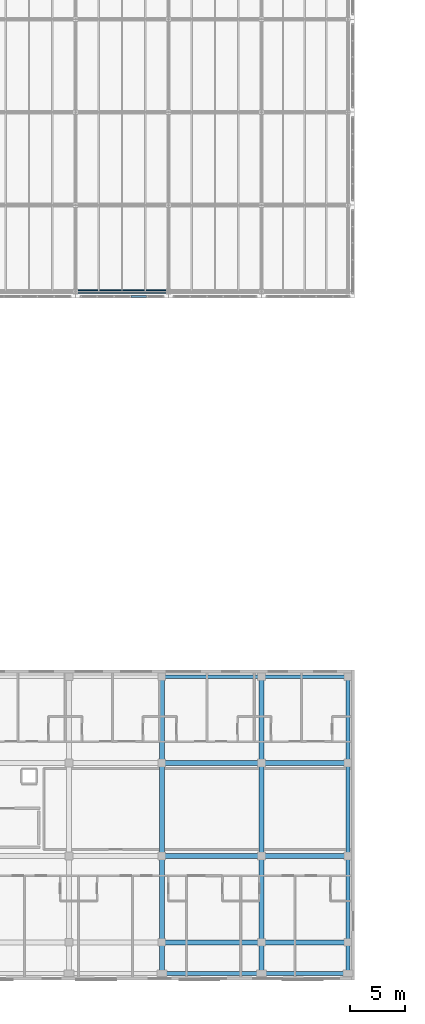
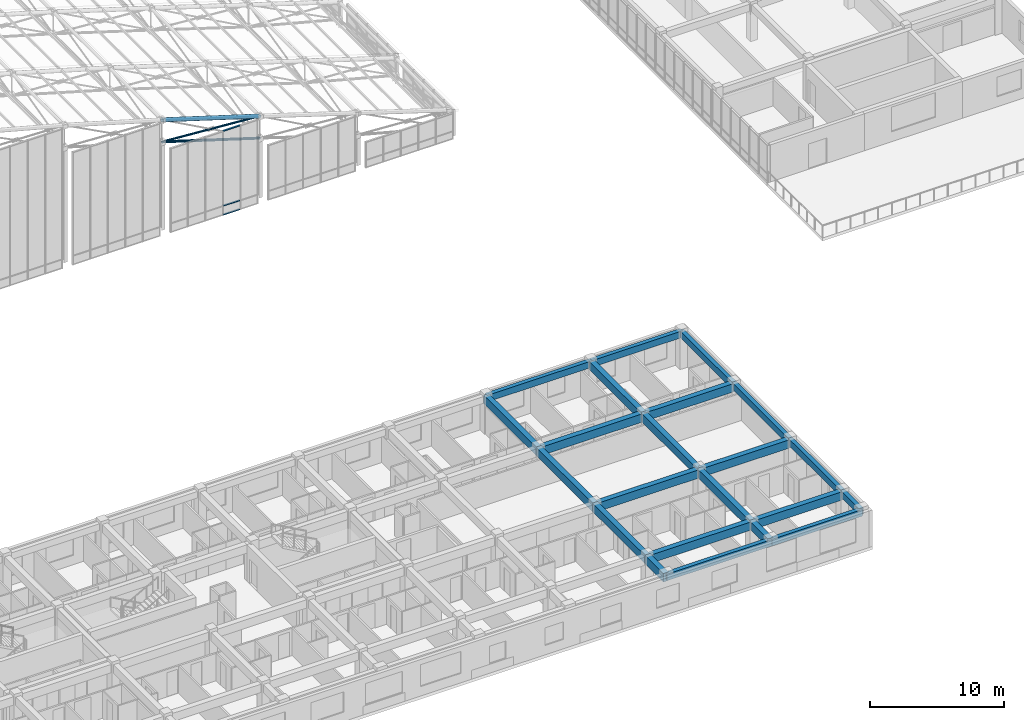
# One storey, part 23 of 144: 22 beams, 6 members, 1 element without a shape of its own.
"""IFC4 building model written with IfcOpenShell, lengths in metres."""

from ifc_helpers import new_model, si_unit, direction, frame, origin, origin_2d, place, context, subcontext, project, spatial, rectangle, hollow_rectangle, hollow_circle, extrude, material, layer, layer_set, material_profile, profile_set, type_object, element, aggregate, save


model = new_model("IFC4")

# Units and contexts
model_context = context("Model", 3, precision=1e-05, world=origin(), true_north=direction((0.0, 1.0)))
body_context = subcontext(model_context, "Body", "Model", "MODEL_VIEW")
ifc_project = project(units=[si_unit("LENGTHUNIT", "METRE"), si_unit("AREAUNIT", "SQUARE_METRE"), si_unit("VOLUMEUNIT", "CUBIC_METRE"), si_unit("PLANEANGLEUNIT", "RADIAN"), si_unit("MASSUNIT", "GRAM", prefix="KILO")], contexts=[model_context])

# Site, building, storey
site_placement = place(None, origin())
site = spatial("IfcSite", under=ifc_project, at=site_placement, CompositionType="ELEMENT")
building_placement = place(site_placement, origin())
building = spatial("IfcBuilding", under=site, at=building_placement, Name="Zayran Congress Hotel", CompositionType="ELEMENT")
storey_placement = place(building_placement, frame((0.0, 0.0, 19.199951171875)))
storey = spatial("IfcBuildingStorey", under=building, at=storey_placement, Name="L04", CompositionType="ELEMENT", Elevation=19.199951171875)

# Beams
ifc_material_1 = material(Name="Concrete C40/50", Category="concrete")
ifc_material_profile_1 = material_profile(ifc_material_1, rectangle(XDim=0.449951171875, YDim=0.75, at=origin_2d()), Name="RC 450x750")
ifc_profile_set_1 = profile_set([ifc_material_profile_1], Name="Concrete C40/50")
beam_type_1 = type_object("IfcBeamType", Name="TP-BM-02", PredefinedType="BEAM", material=ifc_profile_set_1)
beam_1_placement = place(storey_placement, frame((75.0, 9.39990234375, 2.945068359375), z_axis=(1.0, 0.0, 0.0), x_axis=(0.0, 1.0, 0.0)))
element("IfcBeam", 1, at=beam_1_placement, inside=storey, type_object=beam_type_1, Name="BM-V5-L04-1970", PredefinedType="BEAM", context=body_context, shape_type="SweptSolid", body=[
    extrude(rectangle(XDim=0.449951171875, YDim=0.75, at=origin_2d()), origin(), (0.0, 0.0, 1.0), 9.0),
])
beam_2_placement = place(storey_placement, frame((84.0, 9.39990234375, 2.945068359375), z_axis=(1.0, 0.0, 0.0), x_axis=(0.0, 1.0, 0.0)))
element("IfcBeam", 2, at=beam_2_placement, inside=storey, type_object=beam_type_1, Name="BM-V5-L04-1971", PredefinedType="BEAM", context=body_context, shape_type="SweptSolid", body=[
    extrude(rectangle(XDim=0.449951171875, YDim=0.75, at=origin_2d()), origin(), (0.0, 0.0, 1.0), 7.800048828125),
])
beam_3_placement = place(storey_placement, frame((75.0, 17.199951171875, 2.945068359375), z_axis=(1.0, 0.0, 0.0), x_axis=(0.0, 1.0, 0.0)))
element("IfcBeam", 3, at=beam_3_placement, inside=storey, type_object=beam_type_1, Name="BM-V5-L04-1980", PredefinedType="BEAM", context=body_context, shape_type="SweptSolid", body=[
    extrude(rectangle(XDim=0.449951171875, YDim=0.75, at=origin_2d()), origin(), (0.0, 0.0, 1.0), 9.0),
])
beam_4_placement = place(storey_placement, frame((84.0, 17.199951171875, 2.945068359375), z_axis=(1.0, 0.0, 0.0), x_axis=(0.0, 1.0, 0.0)))
element("IfcBeam", 4, at=beam_4_placement, inside=storey, type_object=beam_type_1, Name="BM-V5-L04-1981", PredefinedType="BEAM", context=body_context, shape_type="SweptSolid", body=[
    extrude(rectangle(XDim=0.449951171875, YDim=0.75, at=origin_2d()), origin(), (0.0, 0.0, 1.0), 7.800048828125),
])
beam_5_placement = place(storey_placement, frame((75.0, 25.60009765625, 2.945068359375), z_axis=(1.0, 0.0, 0.0), x_axis=(0.0, 1.0, 0.0)))
element("IfcBeam", 5, at=beam_5_placement, inside=storey, type_object=beam_type_1, Name="BM-V5-L04-1990", PredefinedType="BEAM", context=body_context, shape_type="SweptSolid", body=[
    extrude(rectangle(XDim=0.449951171875, YDim=0.75, at=origin_2d()), origin(), (0.0, 0.0, 1.0), 9.0),
])
beam_6_placement = place(storey_placement, frame((84.0, 25.60009765625, 2.945068359375), z_axis=(1.0, 0.0, 0.0), x_axis=(0.0, 1.0, 0.0)))
element("IfcBeam", 6, at=beam_6_placement, inside=storey, type_object=beam_type_1, Name="BM-V5-L04-1991", PredefinedType="BEAM", context=body_context, shape_type="SweptSolid", body=[
    extrude(rectangle(XDim=0.449951171875, YDim=0.75, at=origin_2d()), origin(), (0.0, 0.0, 1.0), 7.800048828125),
])
beam_7_placement = place(storey_placement, frame((75.0, 6.60009765625, 2.945068359375), z_axis=(0.0, 1.0, 0.0), x_axis=(-1.0, 0.0, 0.0)))
element("IfcBeam", 7, at=beam_7_placement, inside=storey, type_object=beam_type_1, Name="BM-V5-L04-2032", PredefinedType="BEAM", context=body_context, shape_type="SweptSolid", body=[
    extrude(rectangle(XDim=0.449951171875, YDim=0.75, at=origin_2d()), origin(), (0.0, 0.0, 1.0), 2.7998046875),
])
beam_8_placement = place(storey_placement, frame((75.0, 9.39990234375, 2.945068359375), z_axis=(0.0, 1.0, 0.0), x_axis=(-1.0, 0.0, 0.0)))
element("IfcBeam", 8, at=beam_8_placement, inside=storey, type_object=beam_type_1, Name="BM-V5-L04-2033", PredefinedType="BEAM", context=body_context, shape_type="SweptSolid", body=[
    extrude(rectangle(XDim=0.449951171875, YDim=0.75, at=origin_2d()), origin(), (0.0, 0.0, 1.0), 7.800048828125),
])
beam_9_placement = place(storey_placement, frame((75.0, 17.199951171875, 2.945068359375), z_axis=(0.0, 1.0, 0.0), x_axis=(-1.0, 0.0, 0.0)))
element("IfcBeam", 9, at=beam_9_placement, inside=storey, type_object=beam_type_1, Name="BM-V5-L04-2034", PredefinedType="BEAM", context=body_context, shape_type="SweptSolid", body=[
    extrude(rectangle(XDim=0.449951171875, YDim=0.75, at=origin_2d()), origin(), (0.0, 0.0, 1.0), 8.400146484375),
])
beam_10_placement = place(storey_placement, frame((75.0, 25.60009765625, 2.945068359375), z_axis=(0.0, 1.0, 0.0), x_axis=(-1.0, 0.0, 0.0)))
element("IfcBeam", 10, at=beam_10_placement, inside=storey, type_object=beam_type_1, Name="BM-V5-L04-2035", PredefinedType="BEAM", context=body_context, shape_type="SweptSolid", body=[
    extrude(rectangle(XDim=0.449951171875, YDim=0.75, at=origin_2d()), origin(), (0.0, 0.0, 1.0), 7.7998046875),
])
beam_11_placement = place(storey_placement, frame((84.0, 6.60009765625, 2.945068359375), z_axis=(0.0, 1.0, 0.0), x_axis=(-1.0, 0.0, 0.0)))
element("IfcBeam", 11, at=beam_11_placement, inside=storey, type_object=beam_type_1, Name="BM-V5-L04-2036", PredefinedType="BEAM", context=body_context, shape_type="SweptSolid", body=[
    extrude(rectangle(XDim=0.449951171875, YDim=0.75, at=origin_2d()), origin(), (0.0, 0.0, 1.0), 2.7998046875),
])
beam_12_placement = place(storey_placement, frame((84.0, 9.39990234375, 2.945068359375), z_axis=(0.0, 1.0, 0.0), x_axis=(-1.0, 0.0, 0.0)))
element("IfcBeam", 12, at=beam_12_placement, inside=storey, type_object=beam_type_1, Name="BM-V5-L04-2037", PredefinedType="BEAM", context=body_context, shape_type="SweptSolid", body=[
    extrude(rectangle(XDim=0.449951171875, YDim=0.75, at=origin_2d()), origin(), (0.0, 0.0, 1.0), 7.800048828125),
])
beam_13_placement = place(storey_placement, frame((84.0, 17.199951171875, 2.945068359375), z_axis=(0.0, 1.0, 0.0), x_axis=(-1.0, 0.0, 0.0)))
element("IfcBeam", 13, at=beam_13_placement, inside=storey, type_object=beam_type_1, Name="BM-V5-L04-2038", PredefinedType="BEAM", context=body_context, shape_type="SweptSolid", body=[
    extrude(rectangle(XDim=0.449951171875, YDim=0.75, at=origin_2d()), origin(), (0.0, 0.0, 1.0), 8.400146484375),
])
beam_14_placement = place(storey_placement, frame((84.0, 25.60009765625, 2.945068359375), z_axis=(0.0, 1.0, 0.0), x_axis=(-1.0, 0.0, 0.0)))
element("IfcBeam", 14, at=beam_14_placement, inside=storey, type_object=beam_type_1, Name="BM-V5-L04-2039", PredefinedType="BEAM", context=body_context, shape_type="SweptSolid", body=[
    extrude(rectangle(XDim=0.449951171875, YDim=0.75, at=origin_2d()), origin(), (0.0, 0.0, 1.0), 7.7998046875),
])
ifc_material_profile_2 = material_profile(ifc_material_1, rectangle(XDim=0.35009765625, YDim=0.60009765625, at=origin_2d()), Name="RC 350x600")
ifc_profile_set_2 = profile_set([ifc_material_profile_2], Name="Concrete C40/50")
beam_type_2 = type_object("IfcBeamType", Name="TP-SP-01", PredefinedType="SPANDREL", material=ifc_profile_set_2)
beam_15_placement = place(storey_placement, frame((75.0, 6.60009765625, 3.02001953125), z_axis=(1.0, 0.0, 0.0), x_axis=(0.0, 1.0, 0.0)))
element("IfcBeam", 15, at=beam_15_placement, inside=storey, type_object=beam_type_2, Name="BM-V5-L04-1960", PredefinedType="SPANDREL", context=body_context, shape_type="SweptSolid", body=[
    extrude(rectangle(XDim=0.35009765625, YDim=0.60009765625, at=origin_2d()), origin(), (0.0, 0.0, 1.0), 9.0),
])
beam_16_placement = place(storey_placement, frame((84.0, 6.60009765625, 3.02001953125), z_axis=(1.0, 0.0, 0.0), x_axis=(0.0, 1.0, 0.0)))
element("IfcBeam", 16, at=beam_16_placement, inside=storey, type_object=beam_type_2, Name="BM-V5-L04-1961", PredefinedType="SPANDREL", context=body_context, shape_type="SweptSolid", body=[
    extrude(rectangle(XDim=0.35009765625, YDim=0.60009765625, at=origin_2d()), origin(), (0.0, 0.0, 1.0), 7.800048828125),
])
beam_17_placement = place(storey_placement, frame((75.0, 33.39990234375, 3.02001953125), z_axis=(1.0, 0.0, 0.0), x_axis=(0.0, 1.0, 0.0)))
element("IfcBeam", 17, at=beam_17_placement, inside=storey, type_object=beam_type_2, Name="BM-V5-L04-2000", PredefinedType="SPANDREL", context=body_context, shape_type="SweptSolid", body=[
    extrude(rectangle(XDim=0.35009765625, YDim=0.60009765625, at=origin_2d()), origin(), (0.0, 0.0, 1.0), 9.0),
])
beam_18_placement = place(storey_placement, frame((84.0, 33.39990234375, 3.02001953125), z_axis=(1.0, 0.0, 0.0), x_axis=(0.0, 1.0, 0.0)))
element("IfcBeam", 18, at=beam_18_placement, inside=storey, type_object=beam_type_2, Name="BM-V5-L04-2001", PredefinedType="SPANDREL", context=body_context, shape_type="SweptSolid", body=[
    extrude(rectangle(XDim=0.35009765625, YDim=0.60009765625, at=origin_2d()), origin(), (0.0, 0.0, 1.0), 7.800048828125),
])
beam_19_placement = place(storey_placement, frame((91.800048828125, 6.60009765625, 3.02001953125), z_axis=(0.0, 1.0, 0.0), x_axis=(-1.0, 0.0, 0.0)))
element("IfcBeam", 19, at=beam_19_placement, inside=storey, type_object=beam_type_2, Name="BM-V5-L04-2040", PredefinedType="SPANDREL", context=body_context, shape_type="SweptSolid", body=[
    extrude(rectangle(XDim=0.35009765625, YDim=0.60009765625, at=origin_2d()), origin(), (0.0, 0.0, 1.0), 2.7998046875),
])
beam_20_placement = place(storey_placement, frame((91.800048828125, 9.39990234375, 3.02001953125), z_axis=(0.0, 1.0, 0.0), x_axis=(-1.0, 0.0, 0.0)))
element("IfcBeam", 20, at=beam_20_placement, inside=storey, type_object=beam_type_2, Name="BM-V5-L04-2041", PredefinedType="SPANDREL", context=body_context, shape_type="SweptSolid", body=[
    extrude(rectangle(XDim=0.35009765625, YDim=0.60009765625, at=origin_2d()), origin(), (0.0, 0.0, 1.0), 7.800048828125),
])
beam_21_placement = place(storey_placement, frame((91.800048828125, 17.199951171875, 3.02001953125), z_axis=(0.0, 1.0, 0.0), x_axis=(-1.0, 0.0, 0.0)))
element("IfcBeam", 21, at=beam_21_placement, inside=storey, type_object=beam_type_2, Name="BM-V5-L04-2042", PredefinedType="SPANDREL", context=body_context, shape_type="SweptSolid", body=[
    extrude(rectangle(XDim=0.35009765625, YDim=0.60009765625, at=origin_2d()), origin(), (0.0, 0.0, 1.0), 8.400146484375),
])
beam_22_placement = place(storey_placement, frame((91.800048828125, 25.60009765625, 3.02001953125), z_axis=(0.0, 1.0, 0.0), x_axis=(-1.0, 0.0, 0.0)))
element("IfcBeam", 22, at=beam_22_placement, inside=storey, type_object=beam_type_2, Name="BM-V5-L04-2043", PredefinedType="SPANDREL", context=body_context, shape_type="SweptSolid", body=[
    extrude(rectangle(XDim=0.35009765625, YDim=0.60009765625, at=origin_2d()), origin(), (0.0, 0.0, 1.0), 7.7998046875),
])

# Members
ifc_material_2 = material(Name="Steel S355", Category="steel")
ifc_material_profile_3 = material_profile(ifc_material_2, hollow_circle(Radius=0.177734375, WallThickness=0.01611328125, at=origin_2d()), Name="CHS 355.6x16")
ifc_profile_set_3 = profile_set([ifc_material_profile_3], Name="Steel S355")
member_type_1 = type_object("IfcMemberType", Name="TP-SF-TC1", PredefinedType="CHORD", material=ifc_profile_set_3)
member_1_placement = place(storey_placement, frame((67.199951171875, 68.199951171875, 9.902099609375), z_axis=(0.955284210171, 0.0, -0.29568915739), x_axis=(0.0, 1.0, 0.0)))
element("IfcMember", 23, at=member_1_placement, inside=storey, type_object=member_type_1, Name="Space Frame Top Chord X 384", PredefinedType="CHORD", context=body_context, shape_type="SweptSolid", body=[
    extrude(hollow_circle(Radius=0.177734375, WallThickness=0.01611328125, at=origin_2d()), origin(), (0.0, 0.0, 1.0), 8.79345703125),
])
ifc_material_profile_4 = material_profile(ifc_material_2, hollow_circle(Radius=0.109619140625, WallThickness=0.010009765625, at=origin_2d()), Name="CHS 219.1x10")
ifc_profile_set_4 = profile_set([ifc_material_profile_4], Name="Steel S355")
member_type_2 = type_object("IfcMemberType", Name="TP-SF-BC1", PredefinedType="CHORD", material=ifc_profile_set_4)
member_2_placement = place(storey_placement, frame((67.199951171875, 68.199951171875, 7.900146484375), z_axis=(0.955284210171, 0.0, -0.29568915739), x_axis=(0.0, 1.0, 0.0)))
element("IfcMember", 24, at=member_2_placement, inside=storey, type_object=member_type_2, Name="Space Frame Bottom Chord X 385", PredefinedType="CHORD", context=body_context, shape_type="SweptSolid", body=[
    extrude(hollow_circle(Radius=0.109619140625, WallThickness=0.010009765625, at=origin_2d()), origin(), (0.0, 0.0, 1.0), 8.79345703125),
])
ifc_material_profile_5 = material_profile(ifc_material_2, hollow_circle(Radius=0.084228515625, WallThickness=0.008056640625, at=origin_2d()), Name="CHS 168.3x8")
ifc_profile_set_5 = profile_set([ifc_material_profile_5], Name="Steel S355")
member_type_3 = type_object("IfcMemberType", Name="TP-SF-DG1", PredefinedType="BRACE", material=ifc_profile_set_5)
member_3_placement = place(storey_placement, frame((67.199951171875, 68.199951171875, 7.900146484375), z_axis=(0.997474421553, 0.0, -0.071026603098), x_axis=(0.0, 1.0, 0.0)))
element("IfcMember", 25, at=member_3_placement, inside=storey, type_object=member_type_3, Name="Space Frame Web Diagonal X 386", PredefinedType="BRACE", context=body_context, shape_type="SweptSolid", body=[
    extrude(hollow_circle(Radius=0.084228515625, WallThickness=0.008056640625, at=origin_2d()), origin(), (0.0, 0.0, 1.0), 8.42138671875),
])

# Curtain wall, members
ifc_material_3 = material(Name="Anodised aluminium and low-E insulated glass", Category="aluminium")
ifc_layer = layer(ifc_material_3, 0.179931640625)
ifc_layer_set = layer_set([ifc_layer], Name="Anodised aluminium and low-E insulated glass")
curtain_wall_type = type_object("IfcCurtainWallType", Name="CW-V1CL-L04-CW-12-7560-7670", PredefinedType="USERDEFINED", material=ifc_layer_set)
curtain_wall_placement = place(storey_placement, origin())
curtain_wall = element("IfcCurtainWall", 26, at=curtain_wall_placement, inside=storey, type_object=curtain_wall_type, Name="CW-V1CLS-7", ObjectType="CURTAIN WALL", PredefinedType="USERDEFINED")
ifc_material_4 = material(Name="Anodised aluminium framing", Category="aluminium")
ifc_material_profile_6 = material_profile(ifc_material_4, hollow_rectangle(XDim=0.06005859375, YDim=0.14990234375, WallThickness=0.00390625, at=origin_2d()), Name="RHS 150x60x4")
ifc_profile_set_6 = profile_set([ifc_material_profile_6], Name="Anodised aluminium framing")
member_type_4 = type_object("IfcMemberType", Name="TP-CWT-01", PredefinedType="USERDEFINED", material=ifc_profile_set_6)
member_4_placement = place(storey_placement, frame((72.196044921875, 67.75, -0.18994140625), z_axis=(1.0, 0.0, 0.0), x_axis=(0.0, 0.0, 1.0)))
member_4 = element("IfcMember", 27, at=member_4_placement, type_object=member_type_4, Name="CW-V1CLS-7-T03-0", ObjectType="TRANSOM", PredefinedType="USERDEFINED", context=body_context, shape_type="SweptSolid", body=[
    extrude(hollow_rectangle(XDim=0.06005859375, YDim=0.14990234375, WallThickness=0.00390625, at=origin_2d()), origin(), (0.0, 0.0, 1.0), 1.431884765625),
])
member_5_placement = place(storey_placement, frame((72.196044921875, 67.75, 0.6201171875), z_axis=(1.0, 0.0, 0.0), x_axis=(0.0, 0.0, 1.0)))
member_5 = element("IfcMember", 28, at=member_5_placement, type_object=member_type_4, Name="CW-V1CLS-7-T03-1", ObjectType="TRANSOM", PredefinedType="USERDEFINED", context=body_context, shape_type="SweptSolid", body=[
    extrude(hollow_rectangle(XDim=0.06005859375, YDim=0.14990234375, WallThickness=0.00390625, at=origin_2d()), origin(), (0.0, 0.0, 1.0), 1.431884765625),
])
member_6_placement = place(storey_placement, frame((72.196044921875, 67.75, 7.420166015625), z_axis=(1.0, 0.0, 0.0), x_axis=(0.0, 0.0, 1.0)))
member_6 = element("IfcMember", 29, at=member_6_placement, type_object=member_type_4, Name="CW-V1CLS-7-T03-2", ObjectType="TRANSOM", PredefinedType="USERDEFINED", context=body_context, shape_type="SweptSolid", body=[
    extrude(hollow_rectangle(XDim=0.06005859375, YDim=0.14990234375, WallThickness=0.00390625, at=origin_2d()), origin(), (0.0, 0.0, 1.0), 1.431884765625),
])
aggregate(curtain_wall, [member_4, member_5, member_6])

save(model, "model.ifc")
